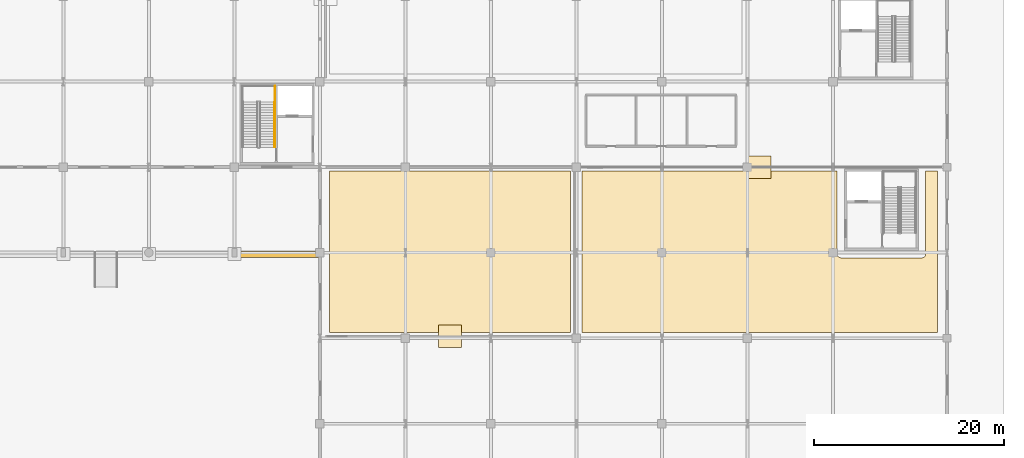
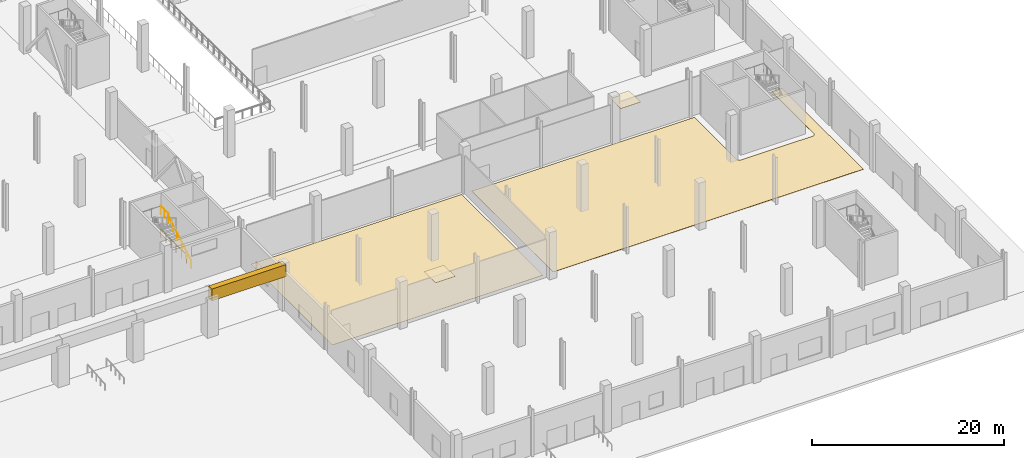
# One storey, part 49 of 58: 5 coverings, 3 railings.
"""IFC4 building model written with IfcOpenShell, lengths in metres."""

from ifc_helpers import new_model, si_unit, direction, frame, origin, origin_2d, place, context, subcontext, project, spatial, polyline, rectangle, circle, outline, extrude, material, layer, layer_set, type_object, element, save


model = new_model("IFC4")

# Units and contexts
model_context = context("Model", 3, precision=1e-05, world=origin(), true_north=direction((0.0, 1.0)))
body_context = subcontext(model_context, "Body", "Model", "MODEL_VIEW")
ifc_project = project(units=[si_unit("LENGTHUNIT", "METRE"), si_unit("AREAUNIT", "SQUARE_METRE"), si_unit("VOLUMEUNIT", "CUBIC_METRE"), si_unit("PLANEANGLEUNIT", "RADIAN"), si_unit("MASSUNIT", "GRAM", prefix="KILO")], contexts=[model_context])

# Site, building, storey
site_placement = place(None, origin())
site = spatial("IfcSite", under=ifc_project, at=site_placement, CompositionType="ELEMENT")
building_placement = place(site_placement, origin())
building = spatial("IfcBuilding", under=site, at=building_placement, Name="Barlavento Convention Centre", CompositionType="ELEMENT")
storey_placement = place(building_placement, origin())
storey = spatial("IfcBuildingStorey", under=building, at=storey_placement, Name="L00", CompositionType="ELEMENT", Elevation=0.0)

# Coverings
ifc_material_1 = material(Name="Perforated mineral-fibre acoustic board")
ifc_layer_1 = layer(ifc_material_1, 0.0400390625)
ifc_layer_set_1 = layer_set([ifc_layer_1], Name="ARC-COV-CEIL-ACOU")
covering_type_1 = type_object("IfcCoveringType", Name="ARC-COV-CEIL-ACOU", PredefinedType="CEILING", material=ifc_layer_set_1)
covering_1_placement = place(storey_placement, frame((0.0, 0.0, 4.85009765625)))
element("IfcCovering", 1, at=covering_1_placement, inside=storey, type_object=covering_type_1, Name="L00 acoustic ceiling panel", PredefinedType="CEILING", context=body_context, shape_type="SweptSolid", body=[
    extrude(outline(polyline([(138.5, 26.0), (140.89990234375, 26.0), (140.89990234375, 28.39990234375), (138.5, 28.39990234375), (138.5, 26.0)])), origin(), (0.0, 0.0, 1.0), 0.039794921875),
])
covering_2_placement = place(storey_placement, frame((0.0, 0.0, 4.85009765625)))
element("IfcCovering", 2, at=covering_2_placement, inside=storey, type_object=covering_type_1, Name="L00 acoustic ceiling panel", PredefinedType="CEILING", context=body_context, shape_type="SweptSolid", body=[
    extrude(outline(polyline([(171.10009765625, 43.800048828125), (173.5, 43.800048828125), (173.5, 46.199951171875), (171.10009765625, 46.199951171875), (171.10009765625, 43.800048828125)])), origin(), (0.0, 0.0, 1.0), 0.039794921875),
])
ifc_material_2 = material(Name="Macau dark grey granite cladding", Category="masonry")
ifc_layer_2 = layer(ifc_material_2, 0.050048828125)
ifc_layer_set_2 = layer_set([ifc_layer_2], Name="ARC-COV-CLAD-GRANITE")
covering_type_2 = type_object("IfcCoveringType", Name="ARC-COV-CLAD-GRANITE", PredefinedType="CLADDING", material=ifc_layer_set_2)
covering_3_placement = place(storey_placement, frame((121.5, 35.85009765625, 4.35009765625), z_axis=(0.0, 0.0, 1.0), x_axis=(1.0, 0.0, 0.0)))
element("IfcCovering", 3, at=covering_3_placement, inside=storey, type_object=covering_type_2, Name="Postmodern portal colonnade entablature CLD01", PredefinedType="CLADDING", context=body_context, shape_type="SweptSolid", body=[
    extrude(rectangle(XDim=8.949951171875, YDim=0.699951171875, at=origin_2d()), origin(), (0.0, 0.0, 1.0), 1.5),
])
ifc_material_3 = material(Name="Honed granite concourse stone flooring", Category="masonry")
ifc_layer_3 = layer(ifc_material_3, 0.030029296875)
ifc_layer_set_3 = layer_set([ifc_layer_3], Name="ARC-COV-FLR-STONE")
covering_type_3 = type_object("IfcCoveringType", Name="ARC-COV-FLR-STONE", PredefinedType="FLOORING", material=ifc_layer_set_3)
covering_4_placement = place(storey_placement, origin())
element("IfcCovering", 4, at=covering_4_placement, inside=storey, type_object=covering_type_3, Name="L00 honed stone floor finish", PredefinedType="FLOORING", context=body_context, shape_type="SweptSolid", body=[
    extrude(outline(polyline([(152.39990234375, 27.60009765625), (127.0, 27.60009765625), (127.0, 44.60009765625), (152.39990234375, 44.60009765625), (152.39990234375, 27.60009765625)])), origin(), (0.0, 0.0, 1.0), 0.030029296875),
])
covering_5_placement = place(storey_placement, origin())
element("IfcCovering", 5, at=covering_5_placement, inside=storey, type_object=covering_type_3, Name="L00 honed stone floor finish", PredefinedType="FLOORING", context=body_context, shape_type="SweptSolid", body=[
    extrude(outline(polyline([(180.43994140625, 35.860107421875), (180.44189453125, 35.821044921875), (180.447998046875, 35.781982421875), (180.45703125, 35.743896484375), (180.469970703125, 35.70703125), (180.487060546875, 35.6708984375), (180.507080078125, 35.637939453125), (180.531005859375, 35.60595703125), (180.556884765625, 35.576904296875), (180.5859375, 35.551025390625), (180.617919921875, 35.527099609375), (180.65087890625, 35.507080078125), (180.68701171875, 35.489990234375), (180.72412109375, 35.47705078125), (180.761962890625, 35.468017578125), (180.801025390625, 35.4619140625), (180.840087890625, 35.4599609375), (189.360107421875, 35.4599609375), (189.39892578125, 35.4619140625), (189.43798828125, 35.468017578125), (189.47607421875, 35.47705078125), (189.512939453125, 35.489990234375), (189.549072265625, 35.507080078125), (189.58203125, 35.527099609375), (189.614013671875, 35.551025390625), (189.64306640625, 35.576904296875), (189.6689453125, 35.60595703125), (189.693115234375, 35.637939453125), (189.712890625, 35.6708984375), (189.72998046875, 35.70703125), (189.742919921875, 35.743896484375), (189.751953125, 35.781982421875), (189.758056640625, 35.821044921875), (189.760009765625, 35.860107421875), (189.760009765625, 44.60009765625), (191.0, 44.60009765625), (191.0, 27.60009765625), (153.60009765625, 27.60009765625), (153.60009765625, 44.60009765625), (180.43994140625, 44.60009765625), (180.43994140625, 35.860107421875)])), origin(), (0.0, 0.0, 1.0), 0.030029296875),
])

# Railings
ifc_material_4 = material(Name="Stainless steel and laminated glass balustrade", Category="steel")
railing_type_1 = type_object("IfcRailingType", Name="ARC-RAL-BAL-1100", PredefinedType="BALUSTRADE", material=ifc_material_4)
railing_1_placement = place(storey_placement, frame((121.2900390625, 51.85009765625, 3.0)))
element("IfcRailing", 6, at=railing_1_placement, inside=storey, type_object=railing_type_1, Name="L00 landing guard GR01", PredefinedType="BALUSTRADE", context=body_context, shape_type="SweptSolid", body=[
    extrude(circle(Radius=0.02392578125, at=origin_2d()), frame((0.0, 0.0, 1.076171875), z_axis=(0.0, 1.0, 0.0), x_axis=(-1.0, 0.0, 0.0)), (0.0, 0.0, 1.0), 1.679931640625),
    extrude(circle(Radius=0.02099609375, at=origin_2d()), origin(), (0.0, 0.0, 1.0), 1.052001953125),
    extrude(circle(Radius=0.02099609375, at=origin_2d()), frame((0.0, 0.83984375, 0.0)), (0.0, 0.0, 1.0), 1.052001953125),
    extrude(circle(Radius=0.02099609375, at=origin_2d()), frame((0.0, 1.679931640625, 0.0)), (0.0, 0.0, 1.0), 1.052001953125),
])
railing_2_placement = place(storey_placement, frame((121.2900390625, 47.114990234375, 0.0)))
element("IfcRailing", 7, at=railing_2_placement, inside=storey, type_object=railing_type_1, Name="L00 stairwell perimeter guard GR01", PredefinedType="BALUSTRADE", context=body_context, shape_type="SweptSolid", body=[
    extrude(circle(Radius=0.02392578125, at=origin_2d()), frame((0.0, 0.0, 1.076171875), z_axis=(0.0, 1.0, 0.0), x_axis=(-1.0, 0.0, 0.0)), (0.0, 0.0, 1.0), 6.4150390625),
    extrude(circle(Radius=0.02099609375, at=origin_2d()), origin(), (0.0, 0.0, 1.0), 1.052001953125),
    extrude(circle(Radius=0.02099609375, at=origin_2d()), frame((0.0, 1.069091796875, 0.0)), (0.0, 0.0, 1.0), 1.052001953125),
    extrude(circle(Radius=0.02099609375, at=origin_2d()), frame((0.0, 2.138427734375, 0.0)), (0.0, 0.0, 1.0), 1.052001953125),
    extrude(circle(Radius=0.02099609375, at=origin_2d()), frame((0.0, 3.20751953125, 0.0)), (0.0, 0.0, 1.0), 1.052001953125),
    extrude(circle(Radius=0.02099609375, at=origin_2d()), frame((0.0, 4.276611328125, 0.0)), (0.0, 0.0, 1.0), 1.052001953125),
    extrude(circle(Radius=0.02099609375, at=origin_2d()), frame((0.0, 5.345947265625, 0.0)), (0.0, 0.0, 1.0), 1.052001953125),
    extrude(circle(Radius=0.02099609375, at=origin_2d()), frame((0.0, 6.4150390625, 0.0)), (0.0, 0.0, 1.0), 1.052001953125),
])
ifc_material_5 = material(Name="Brushed stainless steel tubular handrail", Category="steel")
railing_type_2 = type_object("IfcRailingType", Name="ARC-RAL-HR-900", PredefinedType="HANDRAIL", material=ifc_material_5)
railing_3_placement = place(storey_placement, frame((121.239990234375, 47.090087890625, 0.166748046875)))
element("IfcRailing", 8, at=railing_3_placement, inside=storey, type_object=railing_type_2, Name="L00 ST04 stair handrail 1", PredefinedType="HANDRAIL", context=body_context, shape_type="SweptSolid", body=[
    extrude(circle(Radius=0.02392578125, at=origin_2d()), frame((0.0, 0.0, 0.8759765625), z_axis=(0.0, 0.859299802514, 0.511472237174), x_axis=(-1.0, 0.0, 0.0)), (0.0, 0.0, 1.0), 5.539306640625),
    extrude(circle(Radius=0.02099609375, at=origin_2d()), origin(), (0.0, 0.0, 1.0), 0.851806640625),
    extrude(circle(Radius=0.02099609375, at=origin_2d()), frame((0.0, 0.951904296875, 0.566650390625)), (0.0, 0.0, 1.0), 0.851806640625),
    extrude(circle(Radius=0.02099609375, at=origin_2d()), frame((0.0, 1.904052734375, 1.13330078125)), (0.0, 0.0, 1.0), 0.851806640625),
    extrude(circle(Radius=0.02099609375, at=origin_2d()), frame((0.0, 2.85595703125, 1.699951171875)), (0.0, 0.0, 1.0), 0.851806640625),
    extrude(circle(Radius=0.02099609375, at=origin_2d()), frame((0.0, 3.80810546875, 2.2666015625)), (0.0, 0.0, 1.0), 0.851806640625),
    extrude(circle(Radius=0.02099609375, at=origin_2d()), frame((0.0, 4.760009765625, 2.833251953125)), (0.0, 0.0, 1.0), 0.851806640625),
])

save(model, "model.ifc")
